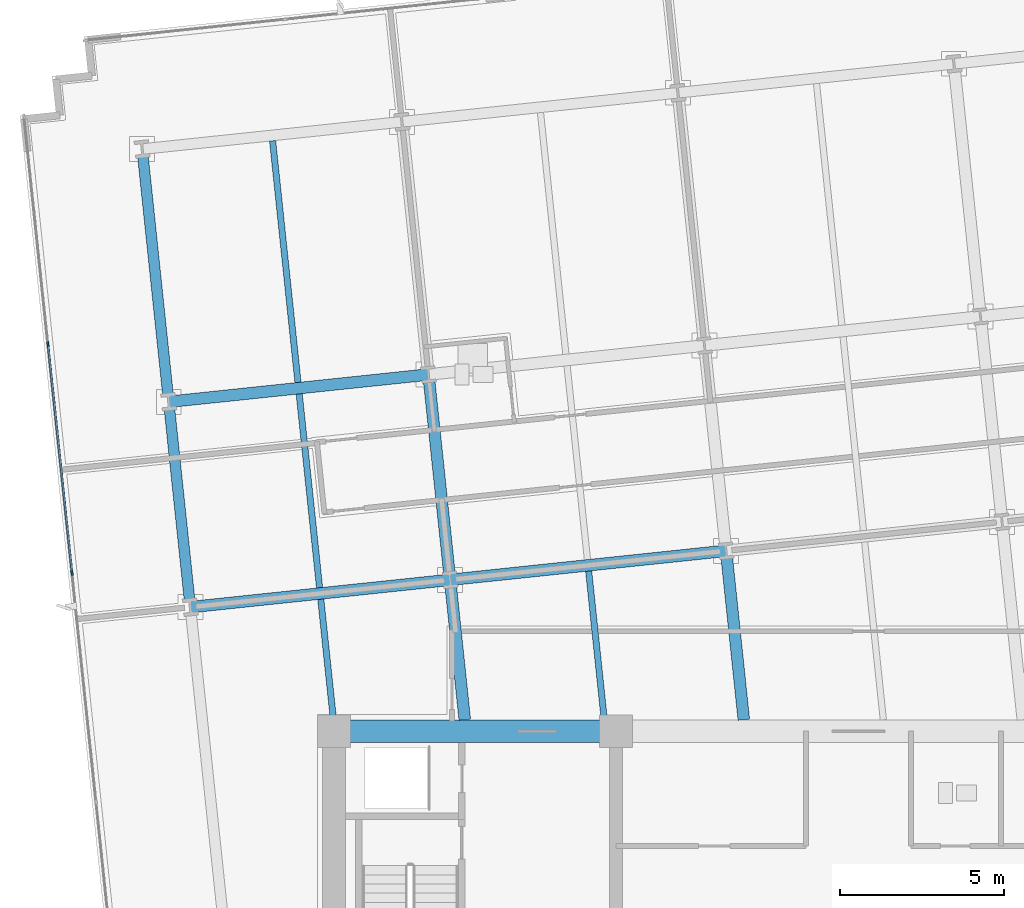
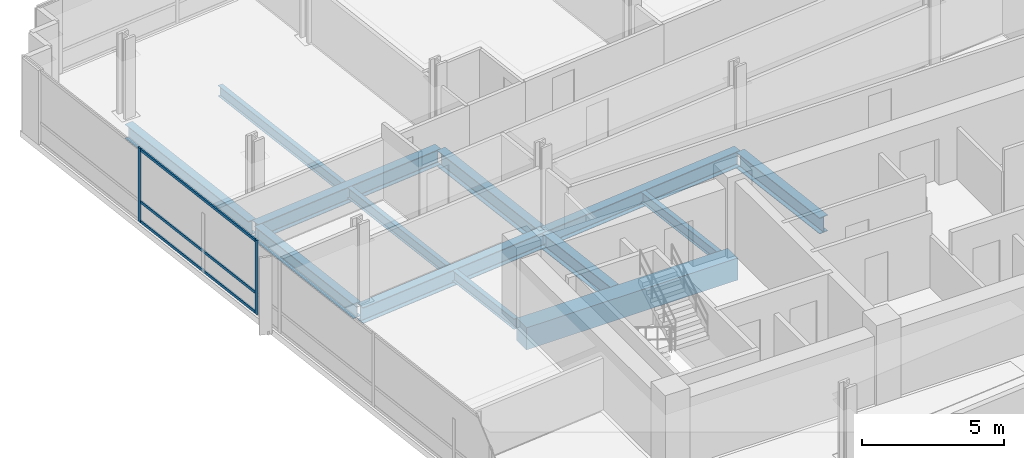
# One storey, part 4 of 20: 13 beams, 5 members, 1 element without a shape of its own.
"""IFC4 building model written with IfcOpenShell, lengths in metres."""

from ifc_helpers import new_model, si_unit, direction, frame, origin, origin_2d, place, context, subcontext, project, spatial, rectangle, i_section, extrude, material, material_profile, profile_set, type_object, element, aggregate, save


model = new_model("IFC4")

# Units and contexts
model_context = context("Model", 3, precision=1e-05, world=origin(), true_north=direction((0.0, 1.0)))
body_context = subcontext(model_context, "Body", "Model", "MODEL_VIEW")
ifc_project = project(units=[si_unit("LENGTHUNIT", "METRE"), si_unit("AREAUNIT", "SQUARE_METRE"), si_unit("VOLUMEUNIT", "CUBIC_METRE"), si_unit("PLANEANGLEUNIT", "RADIAN"), si_unit("MASSUNIT", "GRAM", prefix="KILO")], contexts=[model_context])

# Site, building, storey
site_placement = place(None, origin())
site = spatial("IfcSite", under=ifc_project, at=site_placement, CompositionType="ELEMENT")
building_placement = place(site_placement, origin())
building = spatial("IfcBuilding", under=site, at=building_placement, Name="Solmavex Isthmus Hotel", CompositionType="ELEMENT")
storey_placement = place(building_placement, frame((0.0, 0.0, 109.800048828125)))
storey = spatial("IfcBuildingStorey", under=building, at=storey_placement, Name="L29", CompositionType="ELEMENT", Elevation=109.800048828125)

# Beams
ifc_material_1 = material(Name="Steel ASTM A992 Grade 50", Category="steel")
ifc_material_profile_1 = material_profile(ifc_material_1, i_section(OverallWidth=0.354736328125, OverallDepth=0.695556640625, WebThickness=0.015380859375, FlangeThickness=0.02490234375, FilletRadius=0.017822265625, at=origin_2d()), Name="W27X146")
ifc_profile_set_1 = profile_set([ifc_material_profile_1], Name="Steel ASTM A992 Grade 50")
beam_type_1 = type_object("IfcBeamType", Name="BM-BG-W27X146", PredefinedType="BEAM", material=ifc_profile_set_1)
beam_1_placement = place(storey_placement, frame((-20.383056640625, 1.28564453125, -0.60791015625), z_axis=(0.994520217478, 0.10454442609, 0.0), x_axis=(-0.10454442609, 0.994520217478, 0.0)))
element("IfcBeam", 1, at=beam_1_placement, inside=storey, type_object=beam_type_1, Name="Floor Girder L29-UG07", PredefinedType="BEAM", context=body_context, shape_type="SweptSolid", body=[
    extrude(i_section(OverallWidth=0.354736328125, OverallDepth=0.695556640625, WebThickness=0.015380859375, FlangeThickness=0.02490234375, FilletRadius=0.017822265625, at=origin_2d()), origin(), (0.0, 0.0, 1.0), 7.968017578125),
])
beam_2_placement = place(storey_placement, frame((-12.458740234375, 2.11865234375, -0.60791015625), z_axis=(0.994521085209, 0.104536171134, 0.0), x_axis=(-0.104536171134, 0.994521085209, 0.0)))
element("IfcBeam", 2, at=beam_2_placement, inside=storey, type_object=beam_type_1, Name="Floor Girder L29-UG08", PredefinedType="BEAM", context=body_context, shape_type="SweptSolid", body=[
    extrude(i_section(OverallWidth=0.354736328125, OverallDepth=0.695556640625, WebThickness=0.015380859375, FlangeThickness=0.02490234375, FilletRadius=0.017822265625, at=origin_2d()), origin(), (0.0, 0.0, 1.0), 8.466064453125),
])
beam_3_placement = place(storey_placement, frame((-21.04150390625, 7.54931640625, -0.60791015625), z_axis=(0.994523402738, 0.104514120609, 0.0), x_axis=(-0.104514120609, 0.994523402738, 0.0)))
element("IfcBeam", 3, at=beam_3_placement, inside=storey, type_object=beam_type_1, Name="Floor Girder L29-UG13", PredefinedType="BEAM", context=body_context, shape_type="SweptSolid", body=[
    extrude(i_section(OverallWidth=0.354736328125, OverallDepth=0.695556640625, WebThickness=0.015380859375, FlangeThickness=0.02490234375, FilletRadius=0.017822265625, at=origin_2d()), origin(), (0.0, 0.0, 1.0), 7.968017578125),
])
beam_4_placement = place(storey_placement, frame((-12.010009765625, -2.14990234375, -0.60791015625), z_axis=(-0.104548881212, 0.994519749144, 0.0), x_axis=(-0.994519749144, -0.104548881212, 0.0)))
element("IfcBeam", 4, at=beam_4_placement, inside=storey, type_object=beam_type_1, Name="Floor Beam L29-VG29", PredefinedType="BEAM", context=body_context, shape_type="SweptSolid", body=[
    extrude(i_section(OverallWidth=0.354736328125, OverallDepth=0.695556640625, WebThickness=0.015380859375, FlangeThickness=0.02490234375, FilletRadius=0.017822265625, at=origin_2d()), origin(), (0.0, 0.0, 1.0), 4.114501953125),
])
beam_5_placement = place(storey_placement, frame((-12.477294921875, 2.295166015625, -0.60791015625), z_axis=(-0.104545790518, 0.994520074048, 0.0), x_axis=(-0.994520074048, -0.104545790518, 0.0)))
element("IfcBeam", 5, at=beam_5_placement, inside=storey, type_object=beam_type_1, Name="Floor Beam L29-VG30", PredefinedType="BEAM", context=body_context, shape_type="SweptSolid", body=[
    extrude(i_section(OverallWidth=0.354736328125, OverallDepth=0.695556640625, WebThickness=0.015380859375, FlangeThickness=0.02490234375, FilletRadius=0.017822265625, at=origin_2d()), origin(), (0.0, 0.0, 1.0), 5.943115234375),
])
beam_6_placement = place(storey_placement, frame((-3.49755859375, -2.14990234375, -0.60791015625), z_axis=(-0.104496861251, 0.994525216366, 0.0), x_axis=(-0.994525216366, -0.104496861251, 0.0)))
element("IfcBeam", 6, at=beam_6_placement, inside=storey, type_object=beam_type_1, Name="Floor Beam L29-VG33", PredefinedType="BEAM", context=body_context, shape_type="SweptSolid", body=[
    extrude(i_section(OverallWidth=0.354736328125, OverallDepth=0.695556640625, WebThickness=0.015380859375, FlangeThickness=0.02490234375, FilletRadius=0.017822265625, at=origin_2d()), origin(), (0.0, 0.0, 1.0), 5.00439453125),
])
ifc_material_profile_2 = material_profile(ifc_material_1, i_section(OverallWidth=0.1904296875, OverallDepth=0.456787109375, WebThickness=0.009033203125, FlangeThickness=0.014404296875, FilletRadius=0.0126953125, at=origin_2d()), Name="W18X50")
ifc_profile_set_2 = profile_set([ifc_material_profile_2], Name="Steel ASTM A992 Grade 50")
beam_type_2 = type_object("IfcBeamType", Name="BM-BJ-W18X50", PredefinedType="JOIST", material=ifc_profile_set_2)
beam_7_placement = place(storey_placement, frame((-16.01611328125, -2.14990234375, -0.488525390625), z_axis=(-0.104505969986, 0.99452425925, 0.0), x_axis=(-0.99452425925, -0.104505969986, 0.0)))
element("IfcBeam", 7, at=beam_7_placement, inside=storey, type_object=beam_type_2, Name="Secondary Floor Joist L29-J02", PredefinedType="JOIST", context=body_context, shape_type="SweptSolid", body=[
    extrude(i_section(OverallWidth=0.1904296875, OverallDepth=0.456787109375, WebThickness=0.009033203125, FlangeThickness=0.014404296875, FilletRadius=0.0126953125, at=origin_2d()), origin(), (0.0, 0.0, 1.0), 3.69580078125),
])
beam_8_placement = place(storey_placement, frame((-16.439453125, 1.878662109375, -0.488525390625), z_axis=(-0.104545790518, 0.994520074048, 0.0), x_axis=(-0.994520074048, -0.104545790518, 0.0)))
element("IfcBeam", 8, at=beam_8_placement, inside=storey, type_object=beam_type_2, Name="Secondary Floor Joist L29-J03", PredefinedType="JOIST", context=body_context, shape_type="SweptSolid", body=[
    extrude(i_section(OverallWidth=0.1904296875, OverallDepth=0.456787109375, WebThickness=0.009033203125, FlangeThickness=0.014404296875, FilletRadius=0.0126953125, at=origin_2d()), origin(), (0.0, 0.0, 1.0), 5.943115234375),
])
beam_9_placement = place(storey_placement, frame((-17.097900390625, 8.14208984375, -0.488525390625), z_axis=(-0.104525307271, 0.994522227072, 0.0), x_axis=(-0.994522227072, -0.104525307271, 0.0)))
element("IfcBeam", 9, at=beam_9_placement, inside=storey, type_object=beam_type_2, Name="Secondary Floor Joist L29-J04", PredefinedType="JOIST", context=body_context, shape_type="SweptSolid", body=[
    extrude(i_section(OverallWidth=0.1904296875, OverallDepth=0.456787109375, WebThickness=0.009033203125, FlangeThickness=0.014404296875, FilletRadius=0.0126953125, at=origin_2d()), origin(), (0.0, 0.0, 1.0), 7.4111328125),
])
beam_10_placement = place(storey_placement, frame((-7.75390625, -2.14990234375, -0.488525390625), z_axis=(-0.104517550263, 0.994523042311, 0.0), x_axis=(-0.994523042311, -0.104517550263, 0.0)))
element("IfcBeam", 10, at=beam_10_placement, inside=storey, type_object=beam_type_2, Name="Secondary Floor Joist L29-J06", PredefinedType="JOIST", context=body_context, shape_type="SweptSolid", body=[
    extrude(i_section(OverallWidth=0.1904296875, OverallDepth=0.456787109375, WebThickness=0.009033203125, FlangeThickness=0.014404296875, FilletRadius=0.0126953125, at=origin_2d()), origin(), (0.0, 0.0, 1.0), 4.5595703125),
])
ifc_material_2 = material(Name="Concrete C60/75", Category="concrete")
ifc_material_profile_3 = material_profile(ifc_material_2, rectangle(XDim=0.699951171875, YDim=0.949951171875, at=origin_2d()), Name="RC700X950")
ifc_profile_set_3 = profile_set([ifc_material_profile_3], Name="Concrete C60/75")
beam_type_3 = type_object("IfcBeamType", Name="BM-CB-700X950", PredefinedType="BEAM", material=ifc_profile_set_3)
beam_11_placement = place(storey_placement, frame((-16.0, -2.5, -0.735107421875), z_axis=(1.0, 0.0, 0.0), x_axis=(0.0, 1.0, 0.0)))
element("IfcBeam", 11, at=beam_11_placement, inside=storey, type_object=beam_type_3, Name="Core Coupling Beam L29-CB4", PredefinedType="BEAM", context=body_context, shape_type="SweptSolid", body=[
    extrude(rectangle(XDim=0.699951171875, YDim=0.949951171875, at=origin_2d()), origin(), (0.0, 0.0, 1.0), 8.60009765625),
])
ifc_material_profile_4 = material_profile(ifc_material_1, i_section(OverallWidth=0.326416015625, OverallDepth=0.621826171875, WebThickness=0.015380859375, FlangeThickness=0.0244140625, FilletRadius=0.01513671875, at=origin_2d()), Name="W24X131")
ifc_profile_set_4 = profile_set([ifc_material_profile_4], Name="Steel ASTM A992 Grade 50")
beam_type_4 = type_object("IfcBeamType", Name="BM-SP-W24X131", PredefinedType="SPANDREL", material=ifc_profile_set_4)
beam_12_placement = place(storey_placement, frame((-20.401611328125, 1.462158203125, -0.571044921875), z_axis=(-0.104545790518, 0.994520074048, 0.0), x_axis=(-0.994520074048, -0.104545790518, 0.0)))
element("IfcBeam", 12, at=beam_12_placement, inside=storey, type_object=beam_type_4, Name="Floor Beam L29-VG26", PredefinedType="SPANDREL", context=body_context, shape_type="SweptSolid", body=[
    extrude(i_section(OverallWidth=0.326416015625, OverallDepth=0.621826171875, WebThickness=0.015380859375, FlangeThickness=0.0244140625, FilletRadius=0.01513671875, at=origin_2d()), origin(), (0.0, 0.0, 1.0), 5.943115234375),
])
beam_13_placement = place(storey_placement, frame((-21.06005859375, 7.7255859375, -0.571044921875), z_axis=(-0.10452188296, 0.994522586964, 0.0), x_axis=(-0.994522586964, -0.10452188296, 0.0)))
element("IfcBeam", 13, at=beam_13_placement, inside=storey, type_object=beam_type_4, Name="Floor Beam L29-VG27", PredefinedType="SPANDREL", context=body_context, shape_type="SweptSolid", body=[
    extrude(i_section(OverallWidth=0.326416015625, OverallDepth=0.621826171875, WebThickness=0.015380859375, FlangeThickness=0.0244140625, FilletRadius=0.01513671875, at=origin_2d()), origin(), (0.0, 0.0, 1.0), 7.411376953125),
])

# Curtain wall, members
ifc_material_3 = material(Name="Aluminium alloy 6063-T6", Category="aluminium")
curtain_wall_type = type_object("IfcCurtainWallType", Name="CW-SYS-06", PredefinedType="NOTDEFINED", material=ifc_material_3)
curtain_wall_placement = place(storey_placement, origin())
curtain_wall = element("IfcCurtainWall", 14, at=curtain_wall_placement, inside=storey, type_object=curtain_wall_type, Name="Stick Curtain Wall CWL-L29-W1", PredefinedType="NOTDEFINED")
ifc_material_profile_5 = material_profile(ifc_material_3, rectangle(XDim=0.06005859375, YDim=0.139892578125, at=origin_2d()), Name="CWM-60X140")
ifc_profile_set_5 = profile_set([ifc_material_profile_5], Name="Aluminium alloy 6063-T6")
member_type_1 = type_object("IfcMemberType", Name="CW-SYS-06-MUL", PredefinedType="MULLION", material=ifc_profile_set_5)
member_1_placement = place(storey_placement, frame((-23.991455078125, 2.32421875, 0.0), z_axis=(0.0, 0.0, 1.0), x_axis=(-0.994521893044, -0.104528485381, 0.0)))
member_1 = element("IfcMember", 15, at=member_1_placement, type_object=member_type_1, Name="CW-06 mullion 4", PredefinedType="MULLION", context=body_context, shape_type="SweptSolid", body=[
    extrude(rectangle(XDim=0.06005859375, YDim=0.139892578125, at=origin_2d()), origin(), (0.0, 0.0, 1.0), 3.18994140625),
])
member_2_placement = place(storey_placement, frame((-24.725341796875, 9.305908203125, 0.0), z_axis=(0.0, 0.0, 1.0), x_axis=(-0.994521893044, -0.104528485381, 0.0)))
member_2 = element("IfcMember", 16, at=member_2_placement, type_object=member_type_1, Name="CW-06 mullion 5", PredefinedType="MULLION", context=body_context, shape_type="SweptSolid", body=[
    extrude(rectangle(XDim=0.06005859375, YDim=0.139892578125, at=origin_2d()), origin(), (0.0, 0.0, 1.0), 3.18994140625),
])
ifc_material_profile_6 = material_profile(ifc_material_3, rectangle(XDim=0.06005859375, YDim=0.114990234375, at=origin_2d()), Name="CWT-60X115")
ifc_profile_set_6 = profile_set([ifc_material_profile_6], Name="Aluminium alloy 6063-T6")
member_type_2 = type_object("IfcMemberType", Name="CW-SYS-06-TRN", PredefinedType="USERDEFINED", material=ifc_profile_set_6)
member_3_placement = place(storey_placement, frame((-23.99462890625, 2.35400390625, 0.057373046875), z_axis=(-0.104531402636, 0.994521586424, 0.0), x_axis=(-0.994521586424, -0.104531402636, 0.0)))
member_3 = element("IfcMember", 17, at=member_3_placement, type_object=member_type_2, Name="CW-06 transom 4.1", ObjectType="TRANSOM", PredefinedType="USERDEFINED", context=body_context, shape_type="SweptSolid", body=[
    extrude(rectangle(XDim=0.06005859375, YDim=0.114990234375, at=origin_2d()), origin(), (0.0, 0.0, 1.0), 6.9599609375),
])
member_4_placement = place(storey_placement, frame((-23.99462890625, 2.35400390625, 0.89990234375), z_axis=(-0.104531402636, 0.994521586424, 0.0), x_axis=(-0.994521586424, -0.104531402636, 0.0)))
member_4 = element("IfcMember", 18, at=member_4_placement, type_object=member_type_2, Name="CW-06 transom 4.2", ObjectType="TRANSOM", PredefinedType="USERDEFINED", context=body_context, shape_type="SweptSolid", body=[
    extrude(rectangle(XDim=0.06005859375, YDim=0.114990234375, at=origin_2d()), origin(), (0.0, 0.0, 1.0), 6.9599609375),
])
member_5_placement = place(storey_placement, frame((-23.99462890625, 2.35400390625, 3.132568359375), z_axis=(-0.104531402636, 0.994521586424, 0.0), x_axis=(-0.994521586424, -0.104531402636, 0.0)))
member_5 = element("IfcMember", 19, at=member_5_placement, type_object=member_type_2, Name="CW-06 transom 4.3", ObjectType="TRANSOM", PredefinedType="USERDEFINED", context=body_context, shape_type="SweptSolid", body=[
    extrude(rectangle(XDim=0.06005859375, YDim=0.114990234375, at=origin_2d()), origin(), (0.0, 0.0, 1.0), 6.9599609375),
])
aggregate(curtain_wall, [member_1, member_2, member_3, member_4, member_5])

save(model, "model.ifc")
